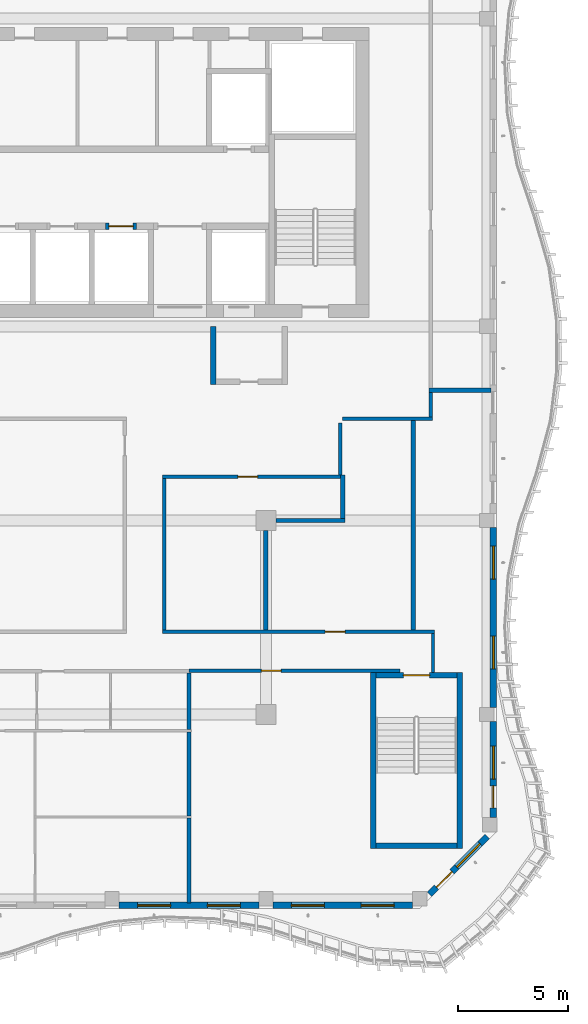
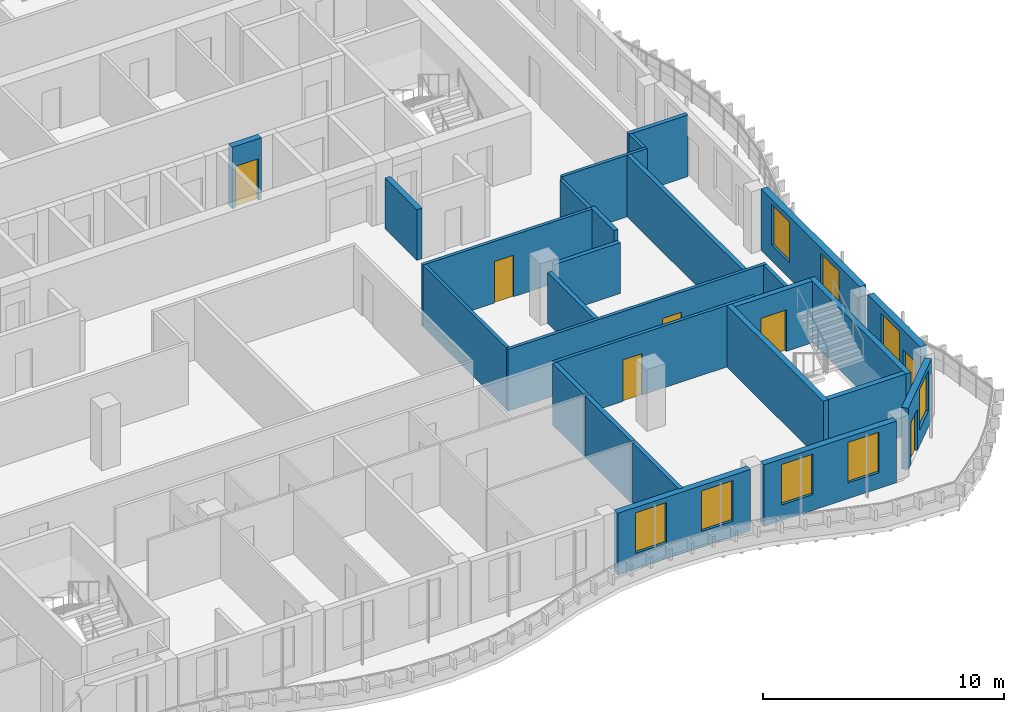
# One storey, part 5 of 16: 27 walls, 8 windows, 7 doors, 15 openings.
"""IFC4 building model written with IfcOpenShell, lengths in metres."""

from ifc_helpers import new_model, si_unit, direction, frame, frame_2d, origin, place, context, subcontext, project, spatial, rectangle, extrude, source, transform, mapped, material, layer, layer_set, type_object, element, fill, save


model = new_model("IFC4")

# Units and contexts
model_context = context("Model", 3, precision=1e-05, world=origin(), true_north=direction((0.0, 1.0)))
body_context = subcontext(model_context, "Body", "Model", "MODEL_VIEW")
ifc_project = project(units=[si_unit("LENGTHUNIT", "METRE"), si_unit("AREAUNIT", "SQUARE_METRE"), si_unit("VOLUMEUNIT", "CUBIC_METRE"), si_unit("PLANEANGLEUNIT", "RADIAN"), si_unit("MASSUNIT", "GRAM", prefix="KILO")], contexts=[model_context])

# Site, building, storey
site_placement = place(None, origin())
site = spatial("IfcSite", under=ifc_project, at=site_placement, CompositionType="ELEMENT")
building_placement = place(site_placement, origin())
building = spatial("IfcBuilding", under=site, at=building_placement, Name="Kilnfold Tower and Market Hall", CompositionType="ELEMENT")
storey_placement = place(building_placement, frame((0.0, 0.0, 284.0)))
storey = spatial("IfcBuildingStorey", under=building, at=storey_placement, Name="L70", CompositionType="ELEMENT", Elevation=284.0)

# Walls
ifc_material_1 = material(Name="Gypsum board on steel studs", Category="steel")
ifc_layer_1 = layer(ifc_material_1, 0.14990234375)
ifc_layer_set_1 = layer_set([ifc_layer_1], Name="Gypsum board on steel studs")
wall_type_1 = type_object("IfcWallType", Name="WALL CORRIDOR 150", PredefinedType="PARTITIONING", material=ifc_layer_set_1)
wall_1_placement = place(storey_placement, frame((20.5, 3.875, 0.0), z_axis=(0.0, 0.0, 1.0), x_axis=(0.0, 1.0, 0.0)))
element("IfcWall", 1, at=wall_1_placement, inside=storey, type_object=wall_type_1, Name="Partition LY42.15", PredefinedType="PARTITIONING", context=body_context, shape_type="SweptSolid", body=[
    extrude(rectangle(XDim=1.117919921875, YDim=0.14990234375, at=frame_2d((0.55908203125, 0.0))), origin(), (0.0, 0.0, 1.0), 3.1201171875),
])
wall_2_placement = place(storey_placement, frame((20.60009765625, -7.75, 0.0), z_axis=(0.0, 0.0, 1.0), x_axis=(0.0, 1.0, 0.0)))
element("IfcWall", 2, at=wall_2_placement, inside=storey, type_object=wall_type_1, Name="Partition LY42.16", PredefinedType="PARTITIONING", context=body_context, shape_type="SweptSolid", body=[
    extrude(rectangle(XDim=1.77490234375, YDim=0.14990234375, at=frame_2d((0.887451171875, 0.0))), origin(), (0.0, 0.0, 1.0), 3.1201171875),
])

# Wall, opening, door
wall_3_placement = place(storey_placement, frame((9.489990234375, -7.669921875, 0.0), z_axis=(0.0, 0.0, 1.0), x_axis=(1.0, 0.0, 0.0)))
wall_3 = element("IfcWall", 3, at=wall_3_placement, inside=storey, type_object=wall_type_1, Name="Partition LY42.17", PredefinedType="PARTITIONING", context=body_context, shape_type="SweptSolid", body=[
    extrude(rectangle(XDim=9.610107421875, YDim=0.14990234375, at=frame_2d((4.80517578125, 0.0))), origin(), (0.0, 0.0, 1.0), 3.1201171875),
])
opening_1_placement = place(wall_3_placement, frame((3.303955078125, 0.0, 0.0)))
opening_1 = element("IfcOpeningElement", 4, at=opening_1_placement, cuts=wall_3, Name="Opening D2", PredefinedType="OPENING", context=body_context, shape_type="SweptSolid", body=[
    extrude(rectangle(XDim=0.89990234375, YDim=2.10009765625, at=frame_2d((0.449951171875, 1.050048828125))), frame((0.0, 0.0849609375, 0.0), z_axis=(0.0, -1.0, 0.0), x_axis=(1.0, 0.0, 0.0)), (0.0, 0.0, 1.0), 0.169921875),
])
ifc_material_2 = material(Name="Timber veneer door leaf in steel frame", Category="steel")
door_type_1 = type_object("IfcDoorType", Name="DOOR ROOM 900 X2100", OperationType="NOTDEFINED", PredefinedType="DOOR", material=ifc_material_2)
door_1_placement = place(opening_1_placement, origin())
door_1 = element("IfcDoor", 5, at=door_1_placement, inside=storey, type_object=door_type_1, Name="Door D2", OperationType="SINGLE_SWING_RIGHT", OverallHeight=2.10009765625, OverallWidth=0.89990234375, PredefinedType="DOOR", context=body_context, shape_type="SweptSolid", body=[
    extrude(rectangle(XDim=0.89990234375, YDim=2.10009765625, at=frame_2d((0.449951171875, 1.050048828125))), frame((0.0, 0.02490234375, 0.0), z_axis=(0.0, -1.0, 0.0), x_axis=(1.0, 0.0, 0.0)), (0.0, 0.0, 1.0), 0.050048828125),
])
fill(opening_1, door_1)

# Wall
wall_4_placement = place(storey_placement, frame((16.3798828125, 1.22509765625, 0.0), z_axis=(0.0, 0.0, 1.0), x_axis=(0.0, 1.0, 0.0)))
element("IfcWall", 6, at=wall_4_placement, inside=storey, type_object=wall_type_1, Name="Partition LY42.28", PredefinedType="PARTITIONING", context=body_context, shape_type="SweptSolid", body=[
    extrude(rectangle(XDim=2.367919921875, YDim=0.14990234375, at=frame_2d((1.18408203125, 0.0))), origin(), (0.0, 0.0, 1.0), 3.1201171875),
])

# Wall, opening, door
wall_5_placement = place(storey_placement, frame((8.304931640625, 1.14990234375, 0.0), z_axis=(0.0, 0.0, 1.0), x_axis=(1.0, 0.0, 0.0)))
wall_5 = element("IfcWall", 7, at=wall_5_placement, inside=storey, type_object=wall_type_1, Name="Partition LY42.29", PredefinedType="PARTITIONING", context=body_context, shape_type="SweptSolid", body=[
    extrude(rectangle(XDim=8.094970703125, YDim=0.14990234375, at=frame_2d((4.04736328125, 0.0))), origin(), (0.0, 0.0, 1.0), 3.1201171875),
])
opening_2_placement = place(wall_5_placement, frame((3.424072265625, 0.0, 0.0)))
opening_2 = element("IfcOpeningElement", 8, at=opening_2_placement, cuts=wall_5, Name="Opening D2", PredefinedType="OPENING", context=body_context, shape_type="SweptSolid", body=[
    extrude(rectangle(XDim=0.89990234375, YDim=2.10009765625, at=frame_2d((0.449951171875, 1.050048828125))), frame((0.0, 0.0849609375, 0.0), z_axis=(0.0, -1.0, 0.0), x_axis=(1.0, 0.0, 0.0)), (0.0, 0.0, 1.0), 0.169921875),
])
door_2_placement = place(opening_2_placement, origin())
door_2 = element("IfcDoor", 9, at=door_2_placement, inside=storey, type_object=door_type_1, Name="Door D2", OperationType="SINGLE_SWING_LEFT", OverallHeight=2.10009765625, OverallWidth=0.89990234375, PredefinedType="DOOR", context=body_context, shape_type="SweptSolid", body=[
    extrude(rectangle(XDim=0.89990234375, YDim=2.10009765625, at=frame_2d((0.449951171875, 1.050048828125))), frame((0.0, 0.02490234375, 0.0), z_axis=(0.0, -1.0, 0.0), x_axis=(1.0, 0.0, 0.0)), (0.0, 0.0, 1.0), 0.050048828125),
])
fill(opening_2, door_2)

# Wall
wall_6_placement = place(storey_placement, frame((8.3798828125, -5.824951171875, 0.0), z_axis=(0.0, 0.0, 1.0), x_axis=(0.0, 1.0, 0.0)))
element("IfcWall", 10, at=wall_6_placement, inside=storey, type_object=wall_type_1, Name="Partition LY42.30", PredefinedType="PARTITIONING", context=body_context, shape_type="SweptSolid", body=[
    extrude(rectangle(XDim=6.89990234375, YDim=0.14990234375, at=frame_2d((3.449951171875, 0.0))), origin(), (0.0, 0.0, 1.0), 3.1201171875),
])

# Wall, opening, door
wall_7_placement = place(storey_placement, frame((8.304931640625, -5.89990234375, 0.0), z_axis=(0.0, 0.0, 1.0), x_axis=(1.0, 0.0, 0.0)))
wall_7 = element("IfcWall", 11, at=wall_7_placement, inside=storey, type_object=wall_type_1, Name="Partition LY42.31", PredefinedType="PARTITIONING", context=body_context, shape_type="SweptSolid", body=[
    extrude(rectangle(XDim=12.3701171875, YDim=0.14990234375, at=frame_2d((6.18505859375, 0.0))), origin(), (0.0, 0.0, 1.0), 3.1201171875),
])
opening_3_placement = place(wall_7_placement, frame((7.39404296875, 0.0, 0.0)))
opening_3 = element("IfcOpeningElement", 12, at=opening_3_placement, cuts=wall_7, Name="Opening D2", PredefinedType="OPENING", context=body_context, shape_type="SweptSolid", body=[
    extrude(rectangle(XDim=0.89990234375, YDim=2.10009765625, at=frame_2d((0.449951171875, 1.050048828125))), frame((0.0, 0.0849609375, 0.0), z_axis=(0.0, -1.0, 0.0), x_axis=(1.0, 0.0, 0.0)), (0.0, 0.0, 1.0), 0.169921875),
])
door_3_placement = place(opening_3_placement, origin())
door_3 = element("IfcDoor", 13, at=door_3_placement, inside=storey, type_object=door_type_1, Name="Door D2", OperationType="SINGLE_SWING_RIGHT", OverallHeight=2.10009765625, OverallWidth=0.89990234375, PredefinedType="DOOR", context=body_context, shape_type="SweptSolid", body=[
    extrude(rectangle(XDim=0.89990234375, YDim=2.10009765625, at=frame_2d((0.449951171875, 1.050048828125))), frame((0.0, 0.02490234375, 0.0), z_axis=(0.0, -1.0, 0.0), x_axis=(1.0, 0.0, 0.0)), (0.0, 0.0, 1.0), 0.050048828125),
])
fill(opening_3, door_3)

# Walls
wall_8_placement = place(storey_placement, frame((16.489990234375, 3.800048828125, 0.0), z_axis=(0.0, 0.0, 1.0), x_axis=(1.0, 0.0, 0.0)))
element("IfcWall", 14, at=wall_8_placement, inside=storey, type_object=wall_type_1, Name="Partition LY42.32", PredefinedType="PARTITIONING", context=body_context, shape_type="SweptSolid", body=[
    extrude(rectangle(XDim=4.0849609375, YDim=0.14990234375, at=frame_2d((2.04248046875, 0.0))), origin(), (0.0, 0.0, 1.0), 3.1201171875),
])
ifc_material_3 = material(Name="Gypsum board on steel studs", Category="steel")
ifc_layer_2 = layer(ifc_material_3, 0.199951171875)
ifc_layer_set_2 = layer_set([ifc_layer_2], Name="Gypsum board on steel studs")
wall_type_2 = type_object("IfcWallType", Name="WALL PARTY 200", PredefinedType="PARTITIONING", material=ifc_layer_set_2)
wall_9_placement = place(storey_placement, frame((9.5, -10.35009765625, 0.0), z_axis=(0.0, 0.0, 1.0), x_axis=(0.0, 1.0, 0.0)))
element("IfcWall", 15, at=wall_9_placement, inside=storey, type_object=wall_type_2, Name="Partition LY42.56", PredefinedType="PARTITIONING", context=body_context, shape_type="SweptSolid", body=[
    extrude(rectangle(XDim=2.572998046875, YDim=0.199951171875, at=frame_2d((1.28662109375, 0.0))), origin(), (0.0, 0.0, 1.0), 3.1201171875),
])
wall_10_placement = place(storey_placement, frame((9.5, -18.25, 0.0), z_axis=(0.0, 0.0, 1.0), x_axis=(0.0, 1.0, 0.0)))
element("IfcWall", 16, at=wall_10_placement, inside=storey, type_object=wall_type_2, Name="Partition LY42.60", PredefinedType="PARTITIONING", context=body_context, shape_type="SweptSolid", body=[
    extrude(rectangle(XDim=3.8740234375, YDim=0.199951171875, at=frame_2d((1.93701171875, 0.0))), origin(), (0.0, 0.0, 1.0), 3.1201171875),
])
wall_11_placement = place(storey_placement, frame((9.5, -14.27587890625, 0.0), z_axis=(0.0, 0.0, 1.0), x_axis=(0.0, 1.0, 0.0)))
element("IfcWall", 17, at=wall_11_placement, inside=storey, type_object=wall_type_2, Name="Partition LY42.61", PredefinedType="PARTITIONING", context=body_context, shape_type="SweptSolid", body=[
    extrude(rectangle(XDim=3.823974609375, YDim=0.199951171875, at=frame_2d((1.912109375, 0.0))), origin(), (0.0, 0.0, 1.0), 3.1201171875),
])
wall_12_placement = place(storey_placement, frame((23.25, 5.0830078125, 0.0), z_axis=(0.0, 0.0, 1.0), x_axis=(-1.0, 0.0, 0.0)))
element("IfcWall", 18, at=wall_12_placement, inside=storey, type_object=wall_type_2, Name="Partition LY42.62", PredefinedType="PARTITIONING", context=body_context, shape_type="SweptSolid", body=[
    extrude(rectangle(XDim=2.822998046875, YDim=0.199951171875, at=frame_2d((1.41162109375, 0.0))), origin(), (0.0, 0.0, 1.0), 3.1201171875),
])
wall_13_placement = place(storey_placement, frame((19.699951171875, 3.722900390625, 0.0), z_axis=(0.0, 0.0, 1.0), x_axis=(0.0, -1.0, 0.0)))
element("IfcWall", 19, at=wall_13_placement, inside=storey, type_object=wall_type_2, Name="Partition LY42.63", PredefinedType="PARTITIONING", context=body_context, shape_type="SweptSolid", body=[
    extrude(rectangle(XDim=9.5458984375, YDim=0.199951171875, at=frame_2d((4.77294921875, 0.0))), origin(), (0.0, 0.0, 1.0), 3.1201171875),
])
wall_14_placement = place(storey_placement, frame((16.5, -0.73291015625, 0.0), z_axis=(0.0, 0.0, 1.0), x_axis=(0.0, 1.0, 0.0)))
element("IfcWall", 20, at=wall_14_placement, inside=storey, type_object=wall_type_2, Name="Partition LY42.80", PredefinedType="PARTITIONING", context=body_context, shape_type="SweptSolid", body=[
    extrude(rectangle(XDim=1.9580078125, YDim=0.199951171875, at=frame_2d((0.97900390625, 0.0))), origin(), (0.0, 0.0, 1.0), 3.1201171875),
])
wall_15_placement = place(storey_placement, frame((13.449951171875, -0.8330078125, 0.0), z_axis=(0.0, 0.0, 1.0), x_axis=(1.0, 0.0, 0.0)))
element("IfcWall", 21, at=wall_15_placement, inside=storey, type_object=wall_type_2, Name="Partition LY42.81", PredefinedType="PARTITIONING", context=body_context, shape_type="SweptSolid", body=[
    extrude(rectangle(XDim=3.150146484375, YDim=0.199951171875, at=frame_2d((1.5751953125, 0.0))), origin(), (0.0, 0.0, 1.0), 2.570068359375),
])
wall_16_placement = place(storey_placement, frame((13.0, -5.822998046875, 0.0), z_axis=(0.0, 0.0, 1.0), x_axis=(0.0, 1.0, 0.0)))
element("IfcWall", 22, at=wall_16_placement, inside=storey, type_object=wall_type_2, Name="Partition LY42.82", PredefinedType="PARTITIONING", context=body_context, shape_type="SweptSolid", body=[
    extrude(rectangle(XDim=4.5400390625, YDim=0.199951171875, at=frame_2d((2.27001953125, 0.0))), origin(), (0.0, 0.0, 1.0), 2.570068359375),
])
ifc_material_4 = material(Name="Concrete C50", Category="concrete")
ifc_layer_3 = layer(ifc_material_4, 0.25)
ifc_layer_set_3 = layer_set([ifc_layer_3], Name="Concrete C50")
wall_type_3 = type_object("IfcWallType", Name="CORE WALL 250 C50", PredefinedType="SHEAR", material=ifc_layer_set_3)
shared_shape_1 = source(origin(), body_context, "Body", "SweptSolid", [
    extrude(rectangle(XDim=3.699951171875, YDim=0.25, at=frame_2d((1.85009765625, 0.0))), origin(), (0.0, 0.0, 1.0), 3.1201171875),
])
wall_17_placement = place(storey_placement, frame((18.0, -15.625, 0.0), z_axis=(0.0, 0.0, 1.0), x_axis=(1.0, 0.0, 0.0)))
element("IfcWall", 23, at=wall_17_placement, inside=storey, type_object=wall_type_3, Name="Stair enclosure ST4", PredefinedType="SHEAR", context=body_context, shape_type="MappedRepresentation", body=[
    mapped(shared_shape_1, transform((0.0, 0.0, 0.0))),
])

# Wall, opening, door
wall_18_placement = place(storey_placement, frame((18.0, -7.875, 0.0), z_axis=(0.0, 0.0, 1.0), x_axis=(1.0, 0.0, 0.0)))
wall_18 = element("IfcWall", 24, at=wall_18_placement, inside=storey, type_object=wall_type_3, Name="Stair enclosure ST4", PredefinedType="SHEAR", context=body_context, shape_type="MappedRepresentation", body=[
    mapped(shared_shape_1, transform((0.0, 0.0, 0.0))),
])
opening_4_placement = place(wall_18_placement, frame((1.25, 0.0, 0.0)))
opening_4 = element("IfcOpeningElement", 25, at=opening_4_placement, cuts=wall_18, Name="Opening SD1", PredefinedType="OPENING", context=body_context, shape_type="SweptSolid", body=[
    extrude(rectangle(XDim=1.199951171875, YDim=2.10009765625, at=frame_2d((0.60009765625, 1.050048828125))), frame((0.0, 0.135009765625, 0.0), z_axis=(0.0, -1.0, 0.0), x_axis=(1.0, 0.0, 0.0)), (0.0, 0.0, 1.0), 0.27001953125),
])
ifc_material_5 = material(Name="Steel door set with fire-resisting leaf", Category="steel")
door_type_2 = type_object("IfcDoorType", Name="STAIR FLOOR DOOR 1200X2100", OperationType="NOTDEFINED", PredefinedType="DOOR", material=ifc_material_5)
door_4_placement = place(opening_4_placement, origin())
door_4 = element("IfcDoor", 26, at=door_4_placement, inside=storey, type_object=door_type_2, Name="Exit stair ST4 door", OperationType="DOUBLE_DOOR_SINGLE_SWING", OverallHeight=2.10009765625, OverallWidth=1.199951171875, PredefinedType="DOOR", context=body_context, shape_type="SweptSolid", body=[
    extrude(rectangle(XDim=1.199951171875, YDim=2.10009765625, at=frame_2d((0.60009765625, 1.050048828125))), frame((0.0, 0.02490234375, 0.0), z_axis=(0.0, -1.0, 0.0), x_axis=(1.0, 0.0, 0.0)), (0.0, 0.0, 1.0), 0.050048828125),
])
fill(opening_4, door_4)

# Walls
shared_shape_2 = source(origin(), body_context, "Body", "SweptSolid", [
    extrude(rectangle(XDim=8.0, YDim=0.25, at=frame_2d((4.0, 0.0))), origin(), (0.0, 0.0, 1.0), 3.1201171875),
])
for number, where, z_axis, x_axis, name in (
    (27, (17.875, -15.75, 0.0), (0.0, 0.0, 1.0), (0.0, 1.0, 0.0), "Stair enclosure ST4"),
    (28, (21.824951171875, -15.75, 0.0), (0.0, 0.0, 1.0), (0.0, 1.0, 0.0), "Stair enclosure ST4"),
):
    element("IfcWall", number, at=place(storey_placement, frame(where, z_axis=z_axis, x_axis=x_axis)), inside=storey, type_object=wall_type_3, Name=name, PredefinedType="SHEAR", context=body_context, shape_type="MappedRepresentation", body=[
        mapped(shared_shape_2, transform((0.0, 0.0, 0.0))),
    ])

# Wall, openings, windows
ifc_material_6 = material(Name="Precast concrete C50/60", Category="concrete")
ifc_layer_4 = layer(ifc_material_6, 0.300048828125)
ifc_layer_set_4 = layer_set([ifc_layer_4], Name="Precast concrete C50/60")
wall_type_4 = type_object("IfcWallType", Name="PRECAST WALL 300", PredefinedType="SOLIDWALL", material=ifc_layer_set_4)
shared_shape_3 = source(origin(), body_context, "Body", "SweptSolid", [
    extrude(rectangle(XDim=6.35009765625, YDim=0.300048828125, at=frame_2d((3.175048828125, 0.0))), origin(), (0.0, 0.0, 1.0), 3.1201171875),
])
wall_19_placement = place(storey_placement, frame((6.324951171875, -18.35009765625, 0.0), z_axis=(0.0, 0.0, 1.0), x_axis=(1.0, 0.0, 0.0)))
wall_19 = element("IfcWall", 29, at=wall_19_placement, inside=storey, type_object=wall_type_4, Name="External wall L70 S", PredefinedType="SOLIDWALL", context=body_context, shape_type="MappedRepresentation", body=[
    mapped(shared_shape_3, transform((0.0, 0.0, 0.0))),
])
opening_5_placement = place(wall_19_placement, frame((0.83740234375, 0.0, 0.800048828125)))
opening_5 = element("IfcOpeningElement", 30, at=opening_5_placement, cuts=wall_19, Name="Opening W5", PredefinedType="OPENING", context=body_context, shape_type="SweptSolid", body=[
    extrude(rectangle(XDim=1.5, YDim=2.050048828125, at=frame_2d((0.75, 1.02490234375))), frame((0.0, 0.16015625, 0.0), z_axis=(0.0, -1.0, 0.0), x_axis=(1.0, 0.0, 0.0)), (0.0, 0.0, 1.0), 0.320068359375),
])
opening_6_placement = place(wall_19_placement, frame((4.012451171875, 0.0, 0.800048828125)))
opening_6 = element("IfcOpeningElement", 31, at=opening_6_placement, cuts=wall_19, Name="Opening W5", PredefinedType="OPENING", context=body_context, shape_type="SweptSolid", body=[
    extrude(rectangle(XDim=1.5, YDim=2.050048828125, at=frame_2d((0.75, 1.02490234375))), frame((0.0, 0.16015625, 0.0), z_axis=(0.0, -1.0, 0.0), x_axis=(1.0, 0.0, 0.0)), (0.0, 0.0, 1.0), 0.320068359375),
])
ifc_material_7 = material(Name="Aluminium frame and double glazing", Category="aluminium")
window_type = type_object("IfcWindowType", Name="WINDOW W5 1500X2050", PartitioningType="SINGLE_PANEL", PredefinedType="WINDOW", material=ifc_material_7)
window_1_placement = place(opening_5_placement, origin())
window_1 = element("IfcWindow", 32, at=window_1_placement, inside=storey, type_object=window_type, Name="Window W5 L70 S-1", OverallHeight=2.050048828125, OverallWidth=1.5, PartitioningType="SINGLE_PANEL", PredefinedType="WINDOW", context=body_context, shape_type="SweptSolid", body=[
    extrude(rectangle(XDim=1.5, YDim=2.050048828125, at=frame_2d((0.75, 1.02490234375))), frame((0.0, 0.030029296875, 0.0), z_axis=(0.0, -1.0, 0.0), x_axis=(1.0, 0.0, 0.0)), (0.0, 0.0, 1.0), 0.06005859375),
])
fill(opening_5, window_1)
window_2_placement = place(opening_6_placement, origin())
window_2 = element("IfcWindow", 33, at=window_2_placement, inside=storey, type_object=window_type, Name="Window W5 L70 S-2", OverallHeight=2.050048828125, OverallWidth=1.5, PartitioningType="SINGLE_PANEL", PredefinedType="WINDOW", context=body_context, shape_type="SweptSolid", body=[
    extrude(rectangle(XDim=1.5, YDim=2.050048828125, at=frame_2d((0.75, 1.02490234375))), frame((0.0, 0.030029296875, 0.0), z_axis=(0.0, -1.0, 0.0), x_axis=(1.0, 0.0, 0.0)), (0.0, 0.0, 1.0), 0.06005859375),
])
fill(opening_6, window_2)

wall_20_placement = place(storey_placement, frame((13.324951171875, -18.35009765625, 0.0), z_axis=(0.0, 0.0, 1.0), x_axis=(1.0, 0.0, 0.0)))
wall_20 = element("IfcWall", 34, at=wall_20_placement, inside=storey, type_object=wall_type_4, Name="External wall L70 S", PredefinedType="SOLIDWALL", context=body_context, shape_type="MappedRepresentation", body=[
    mapped(shared_shape_3, transform((0.0, 0.0, 0.0))),
])
opening_7_placement = place(wall_20_placement, frame((0.83740234375, 0.0, 0.800048828125)))
opening_7 = element("IfcOpeningElement", 35, at=opening_7_placement, cuts=wall_20, Name="Opening W5", PredefinedType="OPENING", context=body_context, shape_type="SweptSolid", body=[
    extrude(rectangle(XDim=1.5, YDim=2.050048828125, at=frame_2d((0.75, 1.02490234375))), frame((0.0, 0.16015625, 0.0), z_axis=(0.0, -1.0, 0.0), x_axis=(1.0, 0.0, 0.0)), (0.0, 0.0, 1.0), 0.320068359375),
])
opening_8_placement = place(wall_20_placement, frame((4.012451171875, 0.0, 0.800048828125)))
opening_8 = element("IfcOpeningElement", 36, at=opening_8_placement, cuts=wall_20, Name="Opening W5", PredefinedType="OPENING", context=body_context, shape_type="SweptSolid", body=[
    extrude(rectangle(XDim=1.5, YDim=2.050048828125, at=frame_2d((0.75, 1.02490234375))), frame((0.0, 0.16015625, 0.0), z_axis=(0.0, -1.0, 0.0), x_axis=(1.0, 0.0, 0.0)), (0.0, 0.0, 1.0), 0.320068359375),
])
window_3_placement = place(opening_7_placement, origin())
window_3 = element("IfcWindow", 37, at=window_3_placement, inside=storey, type_object=window_type, Name="Window W5 L70 S-1", OverallHeight=2.050048828125, OverallWidth=1.5, PartitioningType="SINGLE_PANEL", PredefinedType="WINDOW", context=body_context, shape_type="SweptSolid", body=[
    extrude(rectangle(XDim=1.5, YDim=2.050048828125, at=frame_2d((0.75, 1.02490234375))), frame((0.0, 0.030029296875, 0.0), z_axis=(0.0, -1.0, 0.0), x_axis=(1.0, 0.0, 0.0)), (0.0, 0.0, 1.0), 0.06005859375),
])
fill(opening_7, window_3)
window_4_placement = place(opening_8_placement, origin())
window_4 = element("IfcWindow", 38, at=window_4_placement, inside=storey, type_object=window_type, Name="Window W5 L70 S-2", OverallHeight=2.050048828125, OverallWidth=1.5, PartitioningType="SINGLE_PANEL", PredefinedType="WINDOW", context=body_context, shape_type="SweptSolid", body=[
    extrude(rectangle(XDim=1.5, YDim=2.050048828125, at=frame_2d((0.75, 1.02490234375))), frame((0.0, 0.030029296875, 0.0), z_axis=(0.0, -1.0, 0.0), x_axis=(1.0, 0.0, 0.0)), (0.0, 0.0, 1.0), 0.06005859375),
])
fill(opening_8, window_4)

# Wall, openings, door, window
shared_shape_4 = source(origin(), body_context, "Body", "SweptSolid", [
    extrude(rectangle(XDim=3.71240234375, YDim=0.300048828125, at=frame_2d((1.856201171875, 0.0))), origin(), (0.0, 0.0, 1.0), 3.1201171875),
])
wall_21_placement = place(storey_placement, frame((20.44384765625, -17.843994140625, 0.0), z_axis=(0.0, 0.0, 1.0), x_axis=(0.707106781187, 0.707106781187, 0.0)))
wall_21 = element("IfcWall", 39, at=wall_21_placement, inside=storey, type_object=wall_type_4, Name="External wall L70 SE", PredefinedType="SOLIDWALL", context=body_context, shape_type="MappedRepresentation", body=[
    mapped(shared_shape_4, transform((0.0, 0.0, 0.0))),
])
opening_9_placement = place(wall_21_placement, frame((1.75, 0.0, 0.800048828125)))
opening_9 = element("IfcOpeningElement", 40, at=opening_9_placement, cuts=wall_21, Name="Opening W5", PredefinedType="OPENING", context=body_context, shape_type="SweptSolid", body=[
    extrude(rectangle(XDim=1.5, YDim=2.050048828125, at=frame_2d((0.75, 1.02490234375))), frame((0.0, 0.16015625, 0.0), z_axis=(0.0, -1.0, 0.0), x_axis=(1.0, 0.0, 0.0)), (0.0, 0.0, 1.0), 0.320068359375),
])
opening_10_placement = place(wall_21_placement, frame((0.449951171875, 0.0, 0.0)))
opening_10 = element("IfcOpeningElement", 41, at=opening_10_placement, cuts=wall_21, Name="Opening BD1", PredefinedType="OPENING", context=body_context, shape_type="SweptSolid", body=[
    extrude(rectangle(XDim=1.0, YDim=2.10009765625, at=frame_2d((0.5, 1.050048828125))), frame((0.0, 0.16015625, 0.0), z_axis=(0.0, -1.0, 0.0), x_axis=(1.0, 0.0, 0.0)), (0.0, 0.0, 1.0), 0.320068359375),
])
ifc_material_8 = material(Name="Aluminium frame and double glazing", Category="aluminium")
door_type_3 = type_object("IfcDoorType", Name="BALCONY DOOR 1000X2100", OperationType="NOTDEFINED", PredefinedType="DOOR", material=ifc_material_8)
door_5_placement = place(opening_10_placement, origin())
door_5 = element("IfcDoor", 42, at=door_5_placement, inside=storey, type_object=door_type_3, Name="Balcony door BD1 L70 SE-1", OperationType="SINGLE_SWING_LEFT", OverallHeight=2.10009765625, OverallWidth=1.0, PredefinedType="DOOR", context=body_context, shape_type="SweptSolid", body=[
    extrude(rectangle(XDim=1.0, YDim=2.10009765625, at=frame_2d((0.5, 1.050048828125))), frame((0.0, 0.02490234375, 0.0), z_axis=(0.0, -1.0, 0.0), x_axis=(1.0, 0.0, 0.0)), (0.0, 0.0, 1.0), 0.050048828125),
])
fill(opening_10, door_5)
window_5_placement = place(opening_9_placement, origin())
window_5 = element("IfcWindow", 43, at=window_5_placement, inside=storey, type_object=window_type, Name="Window W5 L70 SE-1", OverallHeight=2.050048828125, OverallWidth=1.5, PartitioningType="SINGLE_PANEL", PredefinedType="WINDOW", context=body_context, shape_type="SweptSolid", body=[
    extrude(rectangle(XDim=1.5, YDim=2.050048828125, at=frame_2d((0.75, 1.02490234375))), frame((0.0, 0.030029296875, 0.0), z_axis=(0.0, -1.0, 0.0), x_axis=(1.0, 0.0, 0.0)), (0.0, 0.0, 1.0), 0.06005859375),
])
fill(opening_9, window_5)

shared_shape_5 = source(origin(), body_context, "Body", "SweptSolid", [
    extrude(rectangle(XDim=4.364990234375, YDim=0.300048828125, at=frame_2d((2.1826171875, 0.0))), origin(), (0.0, 0.0, 1.0), 3.1201171875),
])
wall_22_placement = place(storey_placement, frame((23.35009765625, -14.356689453125, 0.0), z_axis=(0.0, 0.0, 1.0), x_axis=(0.0, 1.0, 0.0)))
wall_22 = element("IfcWall", 44, at=wall_22_placement, inside=storey, type_object=wall_type_4, Name="External wall L70 E", PredefinedType="SOLIDWALL", context=body_context, shape_type="MappedRepresentation", body=[
    mapped(shared_shape_5, transform((0.0, 0.0, 0.0))),
])
opening_11_placement = place(wall_22_placement, frame((1.75, 0.0, 0.800048828125)))
opening_11 = element("IfcOpeningElement", 45, at=opening_11_placement, cuts=wall_22, Name="Opening W5", PredefinedType="OPENING", context=body_context, shape_type="SweptSolid", body=[
    extrude(rectangle(XDim=1.5, YDim=2.050048828125, at=frame_2d((0.75, 1.02490234375))), frame((0.0, 0.16015625, 0.0), z_axis=(0.0, -1.0, 0.0), x_axis=(1.0, 0.0, 0.0)), (0.0, 0.0, 1.0), 0.320068359375),
])
opening_12_placement = place(wall_22_placement, frame((0.449951171875, 0.0, 0.0)))
opening_12 = element("IfcOpeningElement", 46, at=opening_12_placement, cuts=wall_22, Name="Opening BD1", PredefinedType="OPENING", context=body_context, shape_type="SweptSolid", body=[
    extrude(rectangle(XDim=1.0, YDim=2.10009765625, at=frame_2d((0.5, 1.050048828125))), frame((0.0, 0.16015625, 0.0), z_axis=(0.0, -1.0, 0.0), x_axis=(1.0, 0.0, 0.0)), (0.0, 0.0, 1.0), 0.320068359375),
])
door_6_placement = place(opening_12_placement, origin())
door_6 = element("IfcDoor", 47, at=door_6_placement, inside=storey, type_object=door_type_3, Name="Balcony door BD1 L70 E-1", OperationType="SINGLE_SWING_LEFT", OverallHeight=2.10009765625, OverallWidth=1.0, PredefinedType="DOOR", context=body_context, shape_type="SweptSolid", body=[
    extrude(rectangle(XDim=1.0, YDim=2.10009765625, at=frame_2d((0.5, 1.050048828125))), frame((0.0, 0.02490234375, 0.0), z_axis=(0.0, -1.0, 0.0), x_axis=(1.0, 0.0, 0.0)), (0.0, 0.0, 1.0), 0.050048828125),
])
fill(opening_12, door_6)
window_6_placement = place(opening_11_placement, origin())
window_6 = element("IfcWindow", 48, at=window_6_placement, inside=storey, type_object=window_type, Name="Window W5 L70 E-1", OverallHeight=2.050048828125, OverallWidth=1.5, PartitioningType="SINGLE_PANEL", PredefinedType="WINDOW", context=body_context, shape_type="SweptSolid", body=[
    extrude(rectangle(XDim=1.5, YDim=2.050048828125, at=frame_2d((0.75, 1.02490234375))), frame((0.0, 0.030029296875, 0.0), z_axis=(0.0, -1.0, 0.0), x_axis=(1.0, 0.0, 0.0)), (0.0, 0.0, 1.0), 0.06005859375),
])
fill(opening_11, window_6)

# Wall, openings, windows
shared_shape_6 = source(origin(), body_context, "Body", "SweptSolid", [
    extrude(rectangle(XDim=8.18359375, YDim=0.300048828125, at=frame_2d((4.091796875, 0.0))), origin(), (0.0, 0.0, 1.0), 3.1201171875),
])
wall_23_placement = place(storey_placement, frame((23.35009765625, -9.341796875, 0.0), z_axis=(0.0, 0.0, 1.0), x_axis=(0.0, 1.0, 0.0)))
wall_23 = element("IfcWall", 49, at=wall_23_placement, inside=storey, type_object=wall_type_4, Name="External wall L70 E", PredefinedType="SOLIDWALL", context=body_context, shape_type="MappedRepresentation", body=[
    mapped(shared_shape_6, transform((0.0, 0.0, 0.0))),
])
opening_13_placement = place(wall_23_placement, frame((1.75, 0.0, 0.800048828125)))
opening_13 = element("IfcOpeningElement", 50, at=opening_13_placement, cuts=wall_23, Name="Opening W5", PredefinedType="OPENING", context=body_context, shape_type="SweptSolid", body=[
    extrude(rectangle(XDim=1.5, YDim=2.050048828125, at=frame_2d((0.75, 1.02490234375))), frame((0.0, 0.16015625, 0.0), z_axis=(0.0, -1.0, 0.0), x_axis=(1.0, 0.0, 0.0)), (0.0, 0.0, 1.0), 0.320068359375),
])
opening_14_placement = place(wall_23_placement, frame((5.841796875, 0.0, 0.800048828125)))
opening_14 = element("IfcOpeningElement", 51, at=opening_14_placement, cuts=wall_23, Name="Opening W5", PredefinedType="OPENING", context=body_context, shape_type="SweptSolid", body=[
    extrude(rectangle(XDim=1.5, YDim=2.050048828125, at=frame_2d((0.75, 1.02490234375))), frame((0.0, 0.16015625, 0.0), z_axis=(0.0, -1.0, 0.0), x_axis=(1.0, 0.0, 0.0)), (0.0, 0.0, 1.0), 0.320068359375),
])
window_7_placement = place(opening_13_placement, origin())
window_7 = element("IfcWindow", 52, at=window_7_placement, inside=storey, type_object=window_type, Name="Window W5 L70 E-1", OverallHeight=2.050048828125, OverallWidth=1.5, PartitioningType="SINGLE_PANEL", PredefinedType="WINDOW", context=body_context, shape_type="SweptSolid", body=[
    extrude(rectangle(XDim=1.5, YDim=2.050048828125, at=frame_2d((0.75, 1.02490234375))), frame((0.0, 0.030029296875, 0.0), z_axis=(0.0, -1.0, 0.0), x_axis=(1.0, 0.0, 0.0)), (0.0, 0.0, 1.0), 0.06005859375),
])
fill(opening_13, window_7)
window_8_placement = place(opening_14_placement, origin())
window_8 = element("IfcWindow", 53, at=window_8_placement, inside=storey, type_object=window_type, Name="Window W5 L70 E-2", OverallHeight=2.050048828125, OverallWidth=1.5, PartitioningType="SINGLE_PANEL", PredefinedType="WINDOW", context=body_context, shape_type="SweptSolid", body=[
    extrude(rectangle(XDim=1.5, YDim=2.050048828125, at=frame_2d((0.75, 1.02490234375))), frame((0.0, 0.030029296875, 0.0), z_axis=(0.0, -1.0, 0.0), x_axis=(1.0, 0.0, 0.0)), (0.0, 0.0, 1.0), 0.06005859375),
])
fill(opening_14, window_8)

# Wall, opening, door
ifc_material_9 = material(Name="Gypsum shaft wall system")
ifc_layer_5 = layer(ifc_material_9, 0.300048828125)
ifc_layer_set_5 = layer_set([ifc_layer_5], Name="Gypsum shaft wall system")
wall_type_5 = type_object("IfcWallType", Name="SHAFT WALL 300", PredefinedType="PARTITIONING", material=ifc_layer_set_5)
shared_shape_7 = source(origin(), body_context, "Body", "SweptSolid", [
    extrude(rectangle(XDim=1.400146484375, YDim=0.300048828125, at=frame_2d((0.7001953125, 0.0))), origin(), (0.0, 0.0, 1.0), 3.1201171875),
])
wall_24_placement = place(storey_placement, frame((5.7099609375, 12.550048828125, 0.0), z_axis=(0.0, 0.0, 1.0), x_axis=(1.0, 0.0, 0.0)))
wall_24 = element("IfcWall", 54, at=wall_24_placement, inside=storey, type_object=wall_type_5, Name="Lift shaft front wall", PredefinedType="PARTITIONING", context=body_context, shape_type="MappedRepresentation", body=[
    mapped(shared_shape_7, transform((0.0, 0.0, 0.0))),
])
opening_15_placement = place(wall_24_placement, frame((0.14990234375, 0.0, 0.0)))
opening_15 = element("IfcOpeningElement", 55, at=opening_15_placement, cuts=wall_24, Name="Opening LD2", PredefinedType="OPENING", context=body_context, shape_type="SweptSolid", body=[
    extrude(rectangle(XDim=1.10009765625, YDim=2.10009765625, at=frame_2d((0.550048828125, 1.050048828125))), frame((0.0, 0.16015625, 0.0), z_axis=(0.0, -1.0, 0.0), x_axis=(1.0, 0.0, 0.0)), (0.0, 0.0, 1.0), 0.320068359375),
])
ifc_material_10 = material(Name="Steel door set with fire-resisting leaf", Category="steel")
door_type_4 = type_object("IfcDoorType", Name="LANDING DOOR 1100X2100", OperationType="NOTDEFINED", PredefinedType="DOOR", material=ifc_material_10)
door_7_placement = place(opening_15_placement, origin())
door_7 = element("IfcDoor", 56, at=door_7_placement, inside=storey, type_object=door_type_4, Name="Landing door HR5", OperationType="DOUBLE_DOOR_SLIDING", OverallHeight=2.10009765625, OverallWidth=1.10009765625, PredefinedType="DOOR", context=body_context, shape_type="SweptSolid", body=[
    extrude(rectangle(XDim=1.10009765625, YDim=2.10009765625, at=frame_2d((0.550048828125, 1.050048828125))), frame((0.0, 0.02490234375, 0.0), z_axis=(0.0, -1.0, 0.0), x_axis=(1.0, 0.0, 0.0)), (0.0, 0.0, 1.0), 0.050048828125),
])
fill(opening_15, door_7)

# Wall
ifc_material_11 = material(Name="Gypsum shaft wall system")
ifc_layer_6 = layer(ifc_material_11, 0.25)
ifc_layer_set_6 = layer_set([ifc_layer_6], Name="Gypsum shaft wall system")
wall_type_6 = type_object("IfcWallType", Name="LOBBY WALL 250", PredefinedType="PARTITIONING", material=ifc_layer_set_6)
shared_shape_8 = source(origin(), body_context, "Body", "SweptSolid", [
    extrude(rectangle(XDim=2.64990234375, YDim=0.25, at=frame_2d((1.324951171875, 0.0))), origin(), (0.0, 0.0, 1.0), 2.570068359375),
])
wall_25_placement = place(storey_placement, frame((10.60498046875, 5.35009765625, 0.0), z_axis=(0.0, 0.0, 1.0), x_axis=(0.0, 1.0, 0.0)))
element("IfcWall", 57, at=wall_25_placement, inside=storey, type_object=wall_type_6, Name="Firefighting lobby wall", PredefinedType="PARTITIONING", context=body_context, shape_type="MappedRepresentation", body=[
    mapped(shared_shape_8, transform((0.0, 0.0, 0.0))),
])

save(model, "model.ifc")
